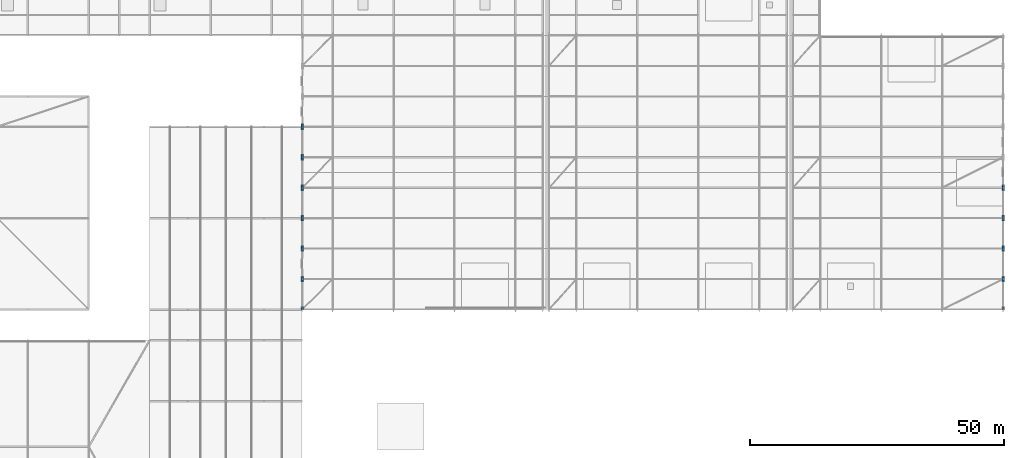
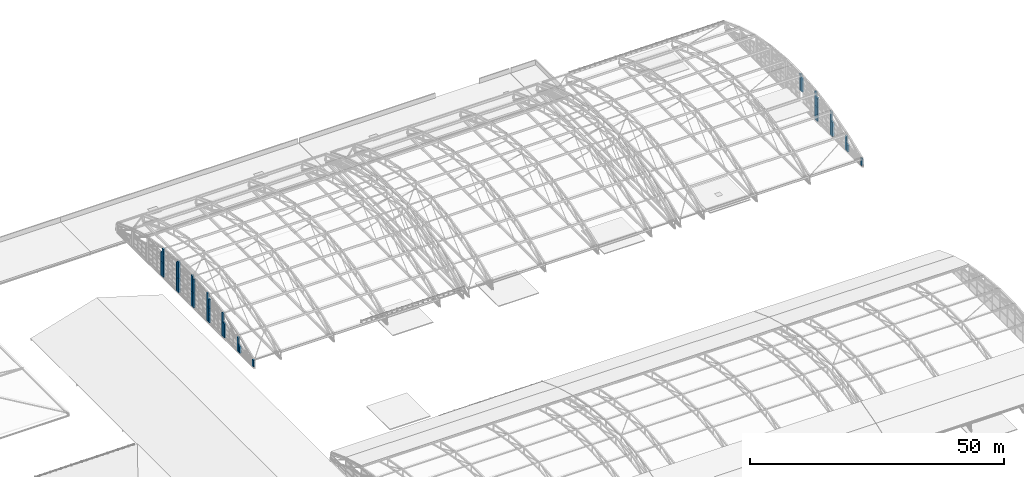
# One storey, part 193 of 204: 34 walls.
"""IFC4 building model written with IfcOpenShell, lengths in metres."""

from ifc_helpers import new_model, si_unit, direction, frame, frame_2d, origin, place, context, subcontext, project, spatial, rectangle, extrude, material, layer, layer_set, type_object, element, save


model = new_model("IFC4")

# Units and contexts
model_context = context("Model", 3, precision=1e-05, world=origin(), true_north=direction((0.0, 1.0)))
body_context = subcontext(model_context, "Body", "Model", "MODEL_VIEW")
ifc_project = project(units=[si_unit("LENGTHUNIT", "METRE"), si_unit("AREAUNIT", "SQUARE_METRE"), si_unit("VOLUMEUNIT", "CUBIC_METRE"), si_unit("PLANEANGLEUNIT", "RADIAN"), si_unit("MASSUNIT", "GRAM", prefix="KILO")], contexts=[model_context])

# Site, building, storey
site_placement = place(None, origin())
site = spatial("IfcSite", under=ifc_project, at=site_placement, CompositionType="ELEMENT")
building_placement = place(site_placement, origin())
building = spatial("IfcBuilding", under=site, at=building_placement, Name="Zilviju Railside Exhibition Hall", CompositionType="ELEMENT")
storey_placement = place(building_placement, frame((0.0, 0.0, 21.0)))
storey = spatial("IfcBuildingStorey", under=building, at=storey_placement, Name="RF", CompositionType="ELEMENT", Elevation=21.0)

# Walls
ifc_material = material(Name="Insulated cream-brick upper facade wall", Category="masonry")
ifc_layer = layer(ifc_material, 0.3798828125)
ifc_layer_set = layer_set([ifc_layer], Name="Insulated cream-brick upper facade wall")
wall_type = type_object("IfcWallType", Name="WL-EXT-380", PredefinedType="SOLIDWALL", material=ifc_layer_set)
for number, where, z_axis, x_axis, name in (
    (1, (78.0, 84.0, -3.60009765625), (0.0, 0.0, 1.0), (0.0, 1.0, 0.0), "Curtain-Wall Jamb Closure Pier RF 0325"),
    (2, (78.0, 89.449951171875, -3.60009765625), (0.0, 0.0, 1.0), (0.0, 1.0, 0.0), "Curtain-Wall Jamb Closure Pier RF 0326"),
):
    element("IfcWall", number, at=place(storey_placement, frame(where, z_axis=z_axis, x_axis=x_axis)), inside=storey, type_object=wall_type, Name=name, PredefinedType="SOLIDWALL", context=body_context, shape_type="SweptSolid", body=[
        extrude(rectangle(XDim=0.550048828125, YDim=0.3798828125, at=frame_2d((0.27490234375, 0.0))), origin(), (0.0, 0.0, 1.0), 1.60009765625),
    ])
wall_1_placement = place(storey_placement, frame((78.0, 90.001953125, -3.60009765625), z_axis=(0.0, 0.0, 1.0), x_axis=(0.0, 1.0, 0.0)))
element("IfcWall", 3, at=wall_1_placement, inside=storey, type_object=wall_type, Name="Curtain-Wall Jamb Closure Pier RF 0327", PredefinedType="SOLIDWALL", context=body_context, shape_type="SweptSolid", body=[
    extrude(rectangle(XDim=0.548095703125, YDim=0.3798828125, at=frame_2d((0.27392578125, 0.0))), origin(), (0.0, 0.0, 1.0), 3.400146484375),
])
wall_2_placement = place(storey_placement, frame((78.0, 95.449951171875, -3.60009765625), z_axis=(0.0, 0.0, 1.0), x_axis=(0.0, 1.0, 0.0)))
element("IfcWall", 4, at=wall_2_placement, inside=storey, type_object=wall_type, Name="Curtain-Wall Jamb Closure Pier RF 0328", PredefinedType="SOLIDWALL", context=body_context, shape_type="SweptSolid", body=[
    extrude(rectangle(XDim=0.550048828125, YDim=0.3798828125, at=frame_2d((0.27490234375, 0.0))), origin(), (0.0, 0.0, 1.0), 3.400146484375),
])
wall_3_placement = place(storey_placement, frame((78.0, 96.001953125, -3.60009765625), z_axis=(0.0, 0.0, 1.0), x_axis=(0.0, 1.0, 0.0)))
element("IfcWall", 5, at=wall_3_placement, inside=storey, type_object=wall_type, Name="Curtain-Wall Jamb Closure Pier RF 0329", PredefinedType="SOLIDWALL", context=body_context, shape_type="SweptSolid", body=[
    extrude(rectangle(XDim=0.548095703125, YDim=0.3798828125, at=frame_2d((0.27392578125, 0.0))), origin(), (0.0, 0.0, 1.0), 3.400146484375),
])
wall_4_placement = place(storey_placement, frame((78.0, 101.449951171875, -3.60009765625), z_axis=(0.0, 0.0, 1.0), x_axis=(0.0, 1.0, 0.0)))
element("IfcWall", 6, at=wall_4_placement, inside=storey, type_object=wall_type, Name="Curtain-Wall Jamb Closure Pier RF 0330", PredefinedType="SOLIDWALL", context=body_context, shape_type="SweptSolid", body=[
    extrude(rectangle(XDim=0.550048828125, YDim=0.3798828125, at=frame_2d((0.27490234375, 0.0))), origin(), (0.0, 0.0, 1.0), 3.400146484375),
])
wall_5_placement = place(storey_placement, frame((78.0, 102.001953125, -3.60009765625), z_axis=(0.0, 0.0, 1.0), x_axis=(0.0, 1.0, 0.0)))
element("IfcWall", 7, at=wall_5_placement, inside=storey, type_object=wall_type, Name="Curtain-Wall Jamb Closure Pier RF 0331", PredefinedType="SOLIDWALL", context=body_context, shape_type="SweptSolid", body=[
    extrude(rectangle(XDim=0.548095703125, YDim=0.3798828125, at=frame_2d((0.27392578125, 0.0))), origin(), (0.0, 0.0, 1.0), 3.400146484375),
])
wall_6_placement = place(storey_placement, frame((78.0, 107.449951171875, -3.60009765625), z_axis=(0.0, 0.0, 1.0), x_axis=(0.0, 1.0, 0.0)))
element("IfcWall", 8, at=wall_6_placement, inside=storey, type_object=wall_type, Name="Curtain-Wall Jamb Closure Pier RF 0332", PredefinedType="SOLIDWALL", context=body_context, shape_type="SweptSolid", body=[
    extrude(rectangle(XDim=0.550048828125, YDim=0.3798828125, at=frame_2d((0.27490234375, 0.0))), origin(), (0.0, 0.0, 1.0), 3.400146484375),
])
wall_7_placement = place(storey_placement, frame((78.0, 108.001953125, -3.60009765625), z_axis=(0.0, 0.0, 1.0), x_axis=(0.0, 1.0, 0.0)))
element("IfcWall", 9, at=wall_7_placement, inside=storey, type_object=wall_type, Name="Curtain-Wall Jamb Closure Pier RF 0333", PredefinedType="SOLIDWALL", context=body_context, shape_type="SweptSolid", body=[
    extrude(rectangle(XDim=0.548095703125, YDim=0.3798828125, at=frame_2d((0.27392578125, 0.0))), origin(), (0.0, 0.0, 1.0), 3.400146484375),
])
wall_8_placement = place(storey_placement, frame((78.0, 113.449951171875, -3.60009765625), z_axis=(0.0, 0.0, 1.0), x_axis=(0.0, 1.0, 0.0)))
element("IfcWall", 10, at=wall_8_placement, inside=storey, type_object=wall_type, Name="Curtain-Wall Jamb Closure Pier RF 0334", PredefinedType="SOLIDWALL", context=body_context, shape_type="SweptSolid", body=[
    extrude(rectangle(XDim=0.550048828125, YDim=0.3798828125, at=frame_2d((0.27490234375, 0.0))), origin(), (0.0, 0.0, 1.0), 3.400146484375),
])
wall_9_placement = place(storey_placement, frame((78.0, 114.001953125, -3.60009765625), z_axis=(0.0, 0.0, 1.0), x_axis=(0.0, 1.0, 0.0)))
element("IfcWall", 11, at=wall_9_placement, inside=storey, type_object=wall_type, Name="Curtain-Wall Jamb Closure Pier RF 0335", PredefinedType="SOLIDWALL", context=body_context, shape_type="SweptSolid", body=[
    extrude(rectangle(XDim=0.548095703125, YDim=0.3798828125, at=frame_2d((0.27392578125, 0.0))), origin(), (0.0, 0.0, 1.0), 3.400146484375),
])
wall_10_placement = place(storey_placement, frame((78.0, 119.449951171875, -3.60009765625), z_axis=(0.0, 0.0, 1.0), x_axis=(0.0, 1.0, 0.0)))
element("IfcWall", 12, at=wall_10_placement, inside=storey, type_object=wall_type, Name="Curtain-Wall Jamb Closure Pier RF 0336", PredefinedType="SOLIDWALL", context=body_context, shape_type="SweptSolid", body=[
    extrude(rectangle(XDim=0.550048828125, YDim=0.3798828125, at=frame_2d((0.27490234375, 0.0))), origin(), (0.0, 0.0, 1.0), 3.400146484375),
])
wall_11_placement = place(storey_placement, frame((78.0, 120.001953125, -3.60009765625), z_axis=(0.0, 0.0, 1.0), x_axis=(0.0, 1.0, 0.0)))
element("IfcWall", 13, at=wall_11_placement, inside=storey, type_object=wall_type, Name="Curtain-Wall Jamb Closure Pier RF 0337", PredefinedType="SOLIDWALL", context=body_context, shape_type="SweptSolid", body=[
    extrude(rectangle(XDim=0.548095703125, YDim=0.3798828125, at=frame_2d((0.27392578125, 0.0))), origin(), (0.0, 0.0, 1.0), 3.400146484375),
])
for number, where, z_axis, x_axis, name in (
    (14, (78.0, 96.0, -0.199951171875), (0.0, 0.0, 1.0), (0.0, 1.0, 0.0), "Curtain-Wall Jamb Closure Pier RF 0343"),
    (15, (78.0, 101.449951171875, -0.199951171875), (0.0, 0.0, 1.0), (0.0, 1.0, 0.0), "Curtain-Wall Jamb Closure Pier RF 0344"),
):
    element("IfcWall", number, at=place(storey_placement, frame(where, z_axis=z_axis, x_axis=x_axis)), inside=storey, type_object=wall_type, Name=name, PredefinedType="SOLIDWALL", context=body_context, shape_type="SweptSolid", body=[
        extrude(rectangle(XDim=0.550048828125, YDim=0.3798828125, at=frame_2d((0.27490234375, 0.0))), origin(), (0.0, 0.0, 1.0), 2.209716796875),
    ])
wall_12_placement = place(storey_placement, frame((78.0, 102.001953125, -0.199951171875), z_axis=(0.0, 0.0, 1.0), x_axis=(0.0, 1.0, 0.0)))
element("IfcWall", 16, at=wall_12_placement, inside=storey, type_object=wall_type, Name="Curtain-Wall Jamb Closure Pier RF 0345", PredefinedType="SOLIDWALL", context=body_context, shape_type="SweptSolid", body=[
    extrude(rectangle(XDim=0.548095703125, YDim=0.3798828125, at=frame_2d((0.27392578125, 0.0))), origin(), (0.0, 0.0, 1.0), 3.35546875),
])
wall_13_placement = place(storey_placement, frame((78.0, 107.449951171875, -0.199951171875), z_axis=(0.0, 0.0, 1.0), x_axis=(0.0, 1.0, 0.0)))
element("IfcWall", 17, at=wall_13_placement, inside=storey, type_object=wall_type, Name="Curtain-Wall Jamb Closure Pier RF 0346", PredefinedType="SOLIDWALL", context=body_context, shape_type="SweptSolid", body=[
    extrude(rectangle(XDim=0.550048828125, YDim=0.3798828125, at=frame_2d((0.27490234375, 0.0))), origin(), (0.0, 0.0, 1.0), 3.35546875),
])
wall_14_placement = place(storey_placement, frame((78.0, 108.001953125, -0.199951171875), z_axis=(0.0, 0.0, 1.0), x_axis=(0.0, 1.0, 0.0)))
element("IfcWall", 18, at=wall_14_placement, inside=storey, type_object=wall_type, Name="Curtain-Wall Jamb Closure Pier RF 0347", PredefinedType="SOLIDWALL", context=body_context, shape_type="SweptSolid", body=[
    extrude(rectangle(XDim=0.548095703125, YDim=0.3798828125, at=frame_2d((0.27392578125, 0.0))), origin(), (0.0, 0.0, 1.0), 3.928466796875),
])
wall_15_placement = place(storey_placement, frame((78.0, 113.449951171875, -0.199951171875), z_axis=(0.0, 0.0, 1.0), x_axis=(0.0, 1.0, 0.0)))
element("IfcWall", 19, at=wall_15_placement, inside=storey, type_object=wall_type, Name="Curtain-Wall Jamb Closure Pier RF 0348", PredefinedType="SOLIDWALL", context=body_context, shape_type="SweptSolid", body=[
    extrude(rectangle(XDim=0.550048828125, YDim=0.3798828125, at=frame_2d((0.27490234375, 0.0))), origin(), (0.0, 0.0, 1.0), 3.928466796875),
])
wall_16_placement = place(storey_placement, frame((78.0, 114.001953125, -0.199951171875), z_axis=(0.0, 0.0, 1.0), x_axis=(0.0, 1.0, 0.0)))
element("IfcWall", 20, at=wall_16_placement, inside=storey, type_object=wall_type, Name="Curtain-Wall Jamb Closure Pier RF 0349", PredefinedType="SOLIDWALL", context=body_context, shape_type="SweptSolid", body=[
    extrude(rectangle(XDim=0.548095703125, YDim=0.3798828125, at=frame_2d((0.27392578125, 0.0))), origin(), (0.0, 0.0, 1.0), 3.35546875),
])
wall_17_placement = place(storey_placement, frame((78.0, 119.449951171875, -0.199951171875), z_axis=(0.0, 0.0, 1.0), x_axis=(0.0, 1.0, 0.0)))
element("IfcWall", 21, at=wall_17_placement, inside=storey, type_object=wall_type, Name="Curtain-Wall Jamb Closure Pier RF 0350", PredefinedType="SOLIDWALL", context=body_context, shape_type="SweptSolid", body=[
    extrude(rectangle(XDim=0.550048828125, YDim=0.3798828125, at=frame_2d((0.27490234375, 0.0))), origin(), (0.0, 0.0, 1.0), 3.35546875),
])
wall_18_placement = place(storey_placement, frame((78.0, 120.001953125, -0.199951171875), z_axis=(0.0, 0.0, 1.0), x_axis=(0.0, 1.0, 0.0)))
element("IfcWall", 22, at=wall_18_placement, inside=storey, type_object=wall_type, Name="Curtain-Wall Jamb Closure Pier RF 0351", PredefinedType="SOLIDWALL", context=body_context, shape_type="SweptSolid", body=[
    extrude(rectangle(XDim=0.548095703125, YDim=0.3798828125, at=frame_2d((0.27392578125, 0.0))), origin(), (0.0, 0.0, 1.0), 2.209716796875),
])
for number, where, z_axis, x_axis, name in (
    (23, (216.0, 84.550048828125, -3.60009765625), (0.0, 0.0, 1.0), (0.0, -1.0, 0.0), "Curtain-Wall Jamb Closure Pier RF 0353"),
    (24, (216.0, 90.0, -3.60009765625), (0.0, 0.0, 1.0), (0.0, -1.0, 0.0), "Curtain-Wall Jamb Closure Pier RF 0354"),
):
    element("IfcWall", number, at=place(storey_placement, frame(where, z_axis=z_axis, x_axis=x_axis)), inside=storey, type_object=wall_type, Name=name, PredefinedType="SOLIDWALL", context=body_context, shape_type="SweptSolid", body=[
        extrude(rectangle(XDim=0.550048828125, YDim=0.3798828125, at=frame_2d((0.27490234375, 0.0))), origin(), (0.0, 0.0, 1.0), 1.60009765625),
    ])
wall_19_placement = place(storey_placement, frame((216.0, 90.550048828125, -3.60009765625), z_axis=(0.0, 0.0, 1.0), x_axis=(0.0, -1.0, 0.0)))
element("IfcWall", 25, at=wall_19_placement, inside=storey, type_object=wall_type, Name="Curtain-Wall Jamb Closure Pier RF 0355", PredefinedType="SOLIDWALL", context=body_context, shape_type="SweptSolid", body=[
    extrude(rectangle(XDim=0.548095703125, YDim=0.3798828125, at=frame_2d((0.27392578125, 0.0))), origin(), (0.0, 0.0, 1.0), 3.400146484375),
])
wall_20_placement = place(storey_placement, frame((216.0, 96.0, -3.60009765625), z_axis=(0.0, 0.0, 1.0), x_axis=(0.0, -1.0, 0.0)))
element("IfcWall", 26, at=wall_20_placement, inside=storey, type_object=wall_type, Name="Curtain-Wall Jamb Closure Pier RF 0356", PredefinedType="SOLIDWALL", context=body_context, shape_type="SweptSolid", body=[
    extrude(rectangle(XDim=0.550048828125, YDim=0.3798828125, at=frame_2d((0.27490234375, 0.0))), origin(), (0.0, 0.0, 1.0), 3.400146484375),
])
wall_21_placement = place(storey_placement, frame((216.0, 96.550048828125, -3.60009765625), z_axis=(0.0, 0.0, 1.0), x_axis=(0.0, -1.0, 0.0)))
element("IfcWall", 27, at=wall_21_placement, inside=storey, type_object=wall_type, Name="Curtain-Wall Jamb Closure Pier RF 0357", PredefinedType="SOLIDWALL", context=body_context, shape_type="SweptSolid", body=[
    extrude(rectangle(XDim=0.548095703125, YDim=0.3798828125, at=frame_2d((0.27392578125, 0.0))), origin(), (0.0, 0.0, 1.0), 3.400146484375),
])
wall_22_placement = place(storey_placement, frame((216.0, 102.0, -3.60009765625), z_axis=(0.0, 0.0, 1.0), x_axis=(0.0, -1.0, 0.0)))
element("IfcWall", 28, at=wall_22_placement, inside=storey, type_object=wall_type, Name="Curtain-Wall Jamb Closure Pier RF 0358", PredefinedType="SOLIDWALL", context=body_context, shape_type="SweptSolid", body=[
    extrude(rectangle(XDim=0.550048828125, YDim=0.3798828125, at=frame_2d((0.27490234375, 0.0))), origin(), (0.0, 0.0, 1.0), 3.400146484375),
])
wall_23_placement = place(storey_placement, frame((216.0, 102.550048828125, -3.60009765625), z_axis=(0.0, 0.0, 1.0), x_axis=(0.0, -1.0, 0.0)))
element("IfcWall", 29, at=wall_23_placement, inside=storey, type_object=wall_type, Name="Curtain-Wall Jamb Closure Pier RF 0359", PredefinedType="SOLIDWALL", context=body_context, shape_type="SweptSolid", body=[
    extrude(rectangle(XDim=0.548095703125, YDim=0.3798828125, at=frame_2d((0.27392578125, 0.0))), origin(), (0.0, 0.0, 1.0), 3.400146484375),
])
for number, where, z_axis, x_axis, name in (
    (30, (216.0, 96.550048828125, -0.199951171875), (0.0, 0.0, 1.0), (0.0, -1.0, 0.0), "Curtain-Wall Jamb Closure Pier RF 0371"),
    (31, (216.0, 102.0, -0.199951171875), (0.0, 0.0, 1.0), (0.0, -1.0, 0.0), "Curtain-Wall Jamb Closure Pier RF 0372"),
):
    element("IfcWall", number, at=place(storey_placement, frame(where, z_axis=z_axis, x_axis=x_axis)), inside=storey, type_object=wall_type, Name=name, PredefinedType="SOLIDWALL", context=body_context, shape_type="SweptSolid", body=[
        extrude(rectangle(XDim=0.550048828125, YDim=0.3798828125, at=frame_2d((0.27490234375, 0.0))), origin(), (0.0, 0.0, 1.0), 2.209716796875),
    ])
wall_24_placement = place(storey_placement, frame((216.0, 102.550048828125, -0.199951171875), z_axis=(0.0, 0.0, 1.0), x_axis=(0.0, -1.0, 0.0)))
element("IfcWall", 32, at=wall_24_placement, inside=storey, type_object=wall_type, Name="Curtain-Wall Jamb Closure Pier RF 0373", PredefinedType="SOLIDWALL", context=body_context, shape_type="SweptSolid", body=[
    extrude(rectangle(XDim=0.548095703125, YDim=0.3798828125, at=frame_2d((0.27392578125, 0.0))), origin(), (0.0, 0.0, 1.0), 3.35546875),
])
wall_25_placement = place(storey_placement, frame((216.0, 108.0, -0.199951171875), z_axis=(0.0, 0.0, 1.0), x_axis=(0.0, -1.0, 0.0)))
element("IfcWall", 33, at=wall_25_placement, inside=storey, type_object=wall_type, Name="Curtain-Wall Jamb Closure Pier RF 0374", PredefinedType="SOLIDWALL", context=body_context, shape_type="SweptSolid", body=[
    extrude(rectangle(XDim=0.550048828125, YDim=0.3798828125, at=frame_2d((0.27490234375, 0.0))), origin(), (0.0, 0.0, 1.0), 3.35546875),
])
wall_26_placement = place(storey_placement, frame((216.0, 108.550048828125, -0.199951171875), z_axis=(0.0, 0.0, 1.0), x_axis=(0.0, -1.0, 0.0)))
element("IfcWall", 34, at=wall_26_placement, inside=storey, type_object=wall_type, Name="Curtain-Wall Jamb Closure Pier RF 0375", PredefinedType="SOLIDWALL", context=body_context, shape_type="SweptSolid", body=[
    extrude(rectangle(XDim=0.548095703125, YDim=0.3798828125, at=frame_2d((0.27392578125, 0.0))), origin(), (0.0, 0.0, 1.0), 3.928466796875),
])

save(model, "model.ifc")
